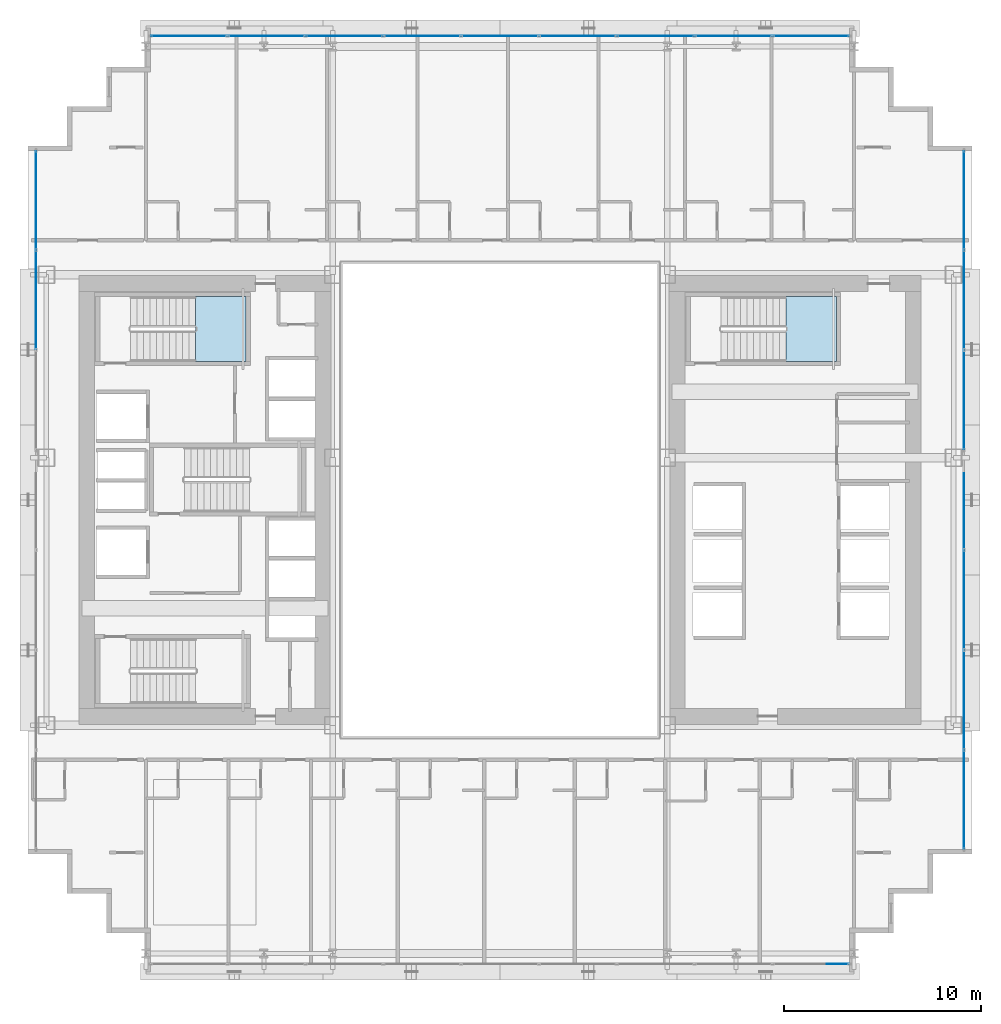
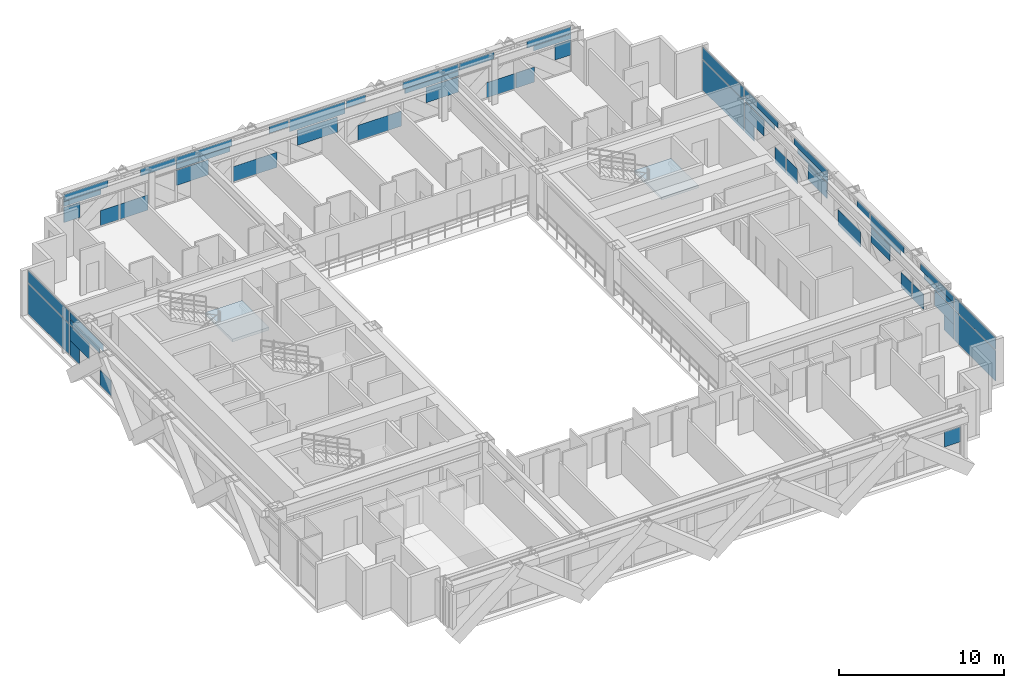
# One storey, part 24 of 36: 56 plates, 2 slabs, 6 elements without a shape of their own.
"""IFC4 building model written with IfcOpenShell, lengths in metres."""

from ifc_helpers import new_model, si_unit, direction, frame, origin, origin_2d, place, context, subcontext, project, spatial, polyline, rectangle, outline, extrude, source, transform, mapped, material, layer, layer_set, type_object, element, aggregate, save


model = new_model("IFC4")

# Units and contexts
model_context = context("Model", 3, precision=1e-05, world=origin(), true_north=direction((0.0, 1.0)))
body_context = subcontext(model_context, "Body", "Model", "MODEL_VIEW")
ifc_project = project(units=[si_unit("LENGTHUNIT", "METRE"), si_unit("AREAUNIT", "SQUARE_METRE"), si_unit("VOLUMEUNIT", "CUBIC_METRE"), si_unit("PLANEANGLEUNIT", "RADIAN"), si_unit("MASSUNIT", "GRAM", prefix="KILO")], contexts=[model_context])

# Site, building, storey
site_placement = place(None, origin())
site = spatial("IfcSite", under=ifc_project, at=site_placement, CompositionType="ELEMENT")
building_placement = place(site_placement, origin())
building = spatial("IfcBuilding", under=site, at=building_placement, Name="Ocotamira Hotel", CompositionType="ELEMENT")
storey_placement = place(building_placement, frame((0.0, 0.0, 42.0)))
storey = spatial("IfcBuildingStorey", under=building, at=storey_placement, Name="L09", CompositionType="ELEMENT", Elevation=42.0)

# Stair, slab
ifc_material_1 = material(Name="Concrete C40/50", Category="concrete")
stair_type = type_object("IfcStairType", Name="ST-CORE-1560", PredefinedType="HALF_TURN_STAIR", material=ifc_material_1)
stair_1_placement = place(storey_placement, origin())
stair_1 = element("IfcStair", 1, at=stair_1_placement, inside=storey, type_object=stair_type, Name="L09 Exit Stair ST-2", PredefinedType="HALF_TURN_STAIR")
ifc_layer_1 = layer(ifc_material_1, 0.199951171875)
ifc_layer_set_1 = layer_set([ifc_layer_1], Name="Concrete C40/50")
slab_type = type_object("IfcSlabType", Name="SLB-LAND-200", PredefinedType="LANDING", material=ifc_layer_set_1)
slab_1_placement = place(storey_placement, frame((0.0, 0.0, 1.60009765625)))
slab_1 = element("IfcSlab", 2, at=slab_1_placement, type_object=slab_type, Name="ST-2 landing 1", PredefinedType="LANDING", context=body_context, shape_type="SweptSolid", body=[
    extrude(outline(polyline([(16.530029296875, 33.050048828125), (19.090087890625, 33.050048828125), (19.090087890625, 36.330078125), (16.530029296875, 36.330078125), (16.530029296875, 33.050048828125)])), origin(), (0.0, 0.0, 1.0), 0.199951171875),
])
aggregate(stair_1, [slab_1])

stair_2_placement = place(storey_placement, origin())
stair_2 = element("IfcStair", 3, at=stair_2_placement, inside=storey, type_object=stair_type, Name="L09 Exit Stair ST-4", PredefinedType="HALF_TURN_STAIR")
slab_2_placement = place(storey_placement, frame((0.0, 0.0, 1.60009765625)))
slab_2 = element("IfcSlab", 4, at=slab_2_placement, type_object=slab_type, Name="ST-4 landing 1", PredefinedType="LANDING", context=body_context, shape_type="SweptSolid", body=[
    extrude(outline(polyline([(46.530029296875, 33.050048828125), (49.090087890625, 33.050048828125), (49.090087890625, 36.330078125), (46.530029296875, 36.330078125), (46.530029296875, 33.050048828125)])), origin(), (0.0, 0.0, 1.0), 0.199951171875),
])
aggregate(stair_2, [slab_2])

# Curtain wall, plate
ifc_material_2 = material(Name="Anodised pale-metal aluminium and solar glass", Category="aluminium")
ifc_layer_2 = layer(ifc_material_2, 0.179931640625)
ifc_layer_set_2 = layer_set([ifc_layer_2], Name="Anodised pale-metal aluminium and solar glass")
curtain_wall_type = type_object("IfcCurtainWallType", Name="CW-SYS2-Z1", PredefinedType="NOTDEFINED", material=ifc_layer_set_2)
curtain_wall_1_placement = place(storey_placement, origin())
curtain_wall_1 = element("IfcCurtainWall", 5, at=curtain_wall_1_placement, inside=storey, type_object=curtain_wall_type, Name="L09 Curtain Wall CW-2 CW-L09-S1", PredefinedType="NOTDEFINED")
ifc_material_3 = material(Name="Double-silver low-E insulated solar glass", Category="glass")
ifc_layer_3 = layer(ifc_material_3, 0.031982421875)
ifc_layer_set_3 = layer_set([ifc_layer_3], Name="Double-silver low-E insulated solar glass")
plate_type = type_object("IfcPlateType", Name="CWP-VISION-32", PredefinedType="CURTAIN_PANEL", material=ifc_layer_set_3)
shared_shape_1 = source(origin(), body_context, "Body", "SweptSolid", [
    extrude(rectangle(XDim=1.11669921875, YDim=0.031982421875, at=origin_2d()), origin(), (0.0, 0.0, 1.0), 1.11865234375),
])
plate_1_placement = place(storey_placement, frame((49.16162109375, 2.419921875, 1.19384765625), z_axis=(0.0, 0.0, 1.0), x_axis=(1.0, 0.0, 0.0)))
plate_1 = element("IfcPlate", 6, at=plate_1_placement, type_object=plate_type, Name="CW-2 panel 9.1.2", PredefinedType="CURTAIN_PANEL", context=body_context, shape_type="MappedRepresentation", body=[
    mapped(shared_shape_1, transform((0.0, 0.0, 0.0), scale=1.0)),
])
aggregate(curtain_wall_1, [plate_1])

# Curtain wall, plates
curtain_wall_2_placement = place(storey_placement, origin())
curtain_wall_2 = element("IfcCurtainWall", 7, at=curtain_wall_2_placement, inside=storey, type_object=curtain_wall_type, Name="L09 Curtain Wall CW-2 CW-L09-N", PredefinedType="NOTDEFINED")
plate_2_placement = place(storey_placement, frame((14.83837890625, 49.580078125, 1.19384765625), z_axis=(0.0, 0.0, 1.0), x_axis=(1.0, 0.0, 0.0)))
plate_2 = element("IfcPlate", 8, at=plate_2_placement, type_object=plate_type, Name="CW-2 panel 1.1.1", PredefinedType="CURTAIN_PANEL", context=body_context, shape_type="MappedRepresentation", body=[
    mapped(shared_shape_1, transform((0.0, 0.0, 0.0), scale=1.0)),
])
plate_3_placement = place(storey_placement, frame((49.16162109375, 49.580078125, 1.19384765625), z_axis=(0.0, 0.0, 1.0), x_axis=(1.0, 0.0, 0.0)))
plate_3 = element("IfcPlate", 9, at=plate_3_placement, type_object=plate_type, Name="CW-2 panel 9.1.2", PredefinedType="CURTAIN_PANEL", context=body_context, shape_type="MappedRepresentation", body=[
    mapped(shared_shape_1, transform((0.0, 0.0, 0.0), scale=1.0)),
])
shared_shape_2 = source(origin(), body_context, "Body", "SweptSolid", [
    extrude(rectangle(XDim=1.278076171875, YDim=0.031982421875, at=origin_2d()), origin(), (0.0, 0.0, 1.0), 1.11865234375),
])
plate_4_placement = place(storey_placement, frame((17.4765625, 49.580078125, 0.0751953125), z_axis=(0.0, 0.0, 1.0), x_axis=(1.0, 0.0, 0.0)))
plate_4 = element("IfcPlate", 10, at=plate_4_placement, type_object=plate_type, Name="CW-2 panel 1.1.2", PredefinedType="CURTAIN_PANEL", context=body_context, shape_type="MappedRepresentation", body=[
    mapped(shared_shape_2, transform((0.0, 0.0, 0.0), scale=1.0)),
])
plate_5_placement = place(storey_placement, frame((46.5234375, 49.580078125, 0.0751953125), z_axis=(0.0, 0.0, 1.0), x_axis=(1.0, 0.0, 0.0)))
plate_5 = element("IfcPlate", 11, at=plate_5_placement, type_object=plate_type, Name="CW-2 panel 9.1.1", PredefinedType="CURTAIN_PANEL", context=body_context, shape_type="MappedRepresentation", body=[
    mapped(shared_shape_2, transform((0.0, 0.0, 0.0), scale=1.0)),
])
shared_shape_3 = source(origin(), body_context, "Body", "SweptSolid", [
    extrude(rectangle(XDim=2.60888671875, YDim=0.031982421875, at=origin_2d()), origin(), (0.0, 0.0, 1.0), 0.345458984375),
])
plate_6_placement = place(storey_placement, frame((15.58447265625, 49.580078125, 2.3876953125), z_axis=(0.0, 0.0, 1.0), x_axis=(1.0, 0.0, 0.0)))
plate_6 = element("IfcPlate", 12, at=plate_6_placement, type_object=plate_type, Name="CW-2 panel 1.2.1", PredefinedType="CURTAIN_PANEL", context=body_context, shape_type="MappedRepresentation", body=[
    mapped(shared_shape_3, transform((0.0, 0.0, 0.0), scale=1.0)),
])
plate_7_placement = place(storey_placement, frame((48.41552734375, 49.580078125, 2.3876953125), z_axis=(0.0, 0.0, 1.0), x_axis=(1.0, 0.0, 0.0)))
plate_7 = element("IfcPlate", 13, at=plate_7_placement, type_object=plate_type, Name="CW-2 panel 9.2.2", PredefinedType="CURTAIN_PANEL", context=body_context, shape_type="MappedRepresentation", body=[
    mapped(shared_shape_3, transform((0.0, 0.0, 0.0), scale=1.0)),
])
shared_shape_4 = source(origin(), body_context, "Body", "SweptSolid", [
    extrude(rectangle(XDim=3.079833984375, YDim=0.031982421875, at=origin_2d()), origin(), (0.0, 0.0, 1.0), 0.5107421875),
])
plate_8_placement = place(storey_placement, frame((15.820068359375, 49.580078125, 2.76416015625), z_axis=(0.0, 0.0, 1.0), x_axis=(1.0, 0.0, 0.0)))
plate_8 = element("IfcPlate", 14, at=plate_8_placement, type_object=plate_type, Name="CW-2 panel 1.2.2", PredefinedType="CURTAIN_PANEL", context=body_context, shape_type="MappedRepresentation", body=[
    mapped(shared_shape_4, transform((0.0, 0.0, 0.0), scale=1.0)),
])
plate_9_placement = place(storey_placement, frame((48.179931640625, 49.580078125, 2.76416015625), z_axis=(0.0, 0.0, 1.0), x_axis=(1.0, 0.0, 0.0)))
plate_9 = element("IfcPlate", 15, at=plate_9_placement, type_object=plate_type, Name="CW-2 panel 9.2.1", PredefinedType="CURTAIN_PANEL", context=body_context, shape_type="MappedRepresentation", body=[
    mapped(shared_shape_4, transform((0.0, 0.0, 0.0), scale=1.0)),
])
shared_shape_5 = source(origin(), body_context, "Body", "SweptSolid", [
    extrude(rectangle(XDim=1.966796875, YDim=0.031982421875, at=origin_2d()), origin(), (0.0, 0.0, 1.0), 1.11865234375),
])
plate_10_placement = place(storey_placement, frame((19.178955078125, 49.580078125, 0.0751953125), z_axis=(0.0, 0.0, 1.0), x_axis=(1.0, 0.0, 0.0)))
plate_10 = element("IfcPlate", 16, at=plate_10_placement, type_object=plate_type, Name="CW-2 panel 2.1.1", PredefinedType="CURTAIN_PANEL", context=body_context, shape_type="MappedRepresentation", body=[
    mapped(shared_shape_5, transform((0.0, 0.0, 0.0), scale=1.0)),
])
plate_11_placement = place(storey_placement, frame((44.821044921875, 49.580078125, 0.0751953125), z_axis=(0.0, 0.0, 1.0), x_axis=(1.0, 0.0, 0.0)))
plate_11 = element("IfcPlate", 17, at=plate_11_placement, type_object=plate_type, Name="CW-2 panel 8.1.1", PredefinedType="CURTAIN_PANEL", context=body_context, shape_type="MappedRepresentation", body=[
    mapped(shared_shape_5, transform((0.0, 0.0, 0.0), scale=1.0)),
])
shared_shape_6 = source(origin(), body_context, "Body", "SweptSolid", [
    extrude(rectangle(XDim=2.430908203125, YDim=0.031982421875, at=origin_2d()), origin(), (0.0, 0.0, 1.0), 0.5107421875),
])
plate_12_placement = place(storey_placement, frame((20.855712890625, 49.580078125, 2.76416015625), z_axis=(0.0, 0.0, 1.0), x_axis=(1.0, 0.0, 0.0)))
plate_12 = element("IfcPlate", 18, at=plate_12_placement, type_object=plate_type, Name="CW-2 panel 2.2.1", PredefinedType="CURTAIN_PANEL", context=body_context, shape_type="MappedRepresentation", body=[
    mapped(shared_shape_6, transform((0.0, 0.0, 0.0), scale=1.0)),
])
plate_13_placement = place(storey_placement, frame((43.144287109375, 49.580078125, 2.76416015625), z_axis=(0.0, 0.0, 1.0), x_axis=(1.0, 0.0, 0.0)))
plate_13 = element("IfcPlate", 19, at=plate_13_placement, type_object=plate_type, Name="CW-2 panel 8.2.1", PredefinedType="CURTAIN_PANEL", context=body_context, shape_type="MappedRepresentation", body=[
    mapped(shared_shape_6, transform((0.0, 0.0, 0.0), scale=1.0)),
])
shared_shape_7 = source(origin(), body_context, "Body", "SweptSolid", [
    extrude(rectangle(XDim=2.24560546875, YDim=0.031982421875, at=origin_2d()), origin(), (0.0, 0.0, 1.0), 1.11865234375),
])
plate_14_placement = place(storey_placement, frame((23.27392578125, 49.580078125, 1.19384765625), z_axis=(0.0, 0.0, 1.0), x_axis=(1.0, 0.0, 0.0)))
plate_14 = element("IfcPlate", 20, at=plate_14_placement, type_object=plate_type, Name="CW-2 panel 3.1.1", PredefinedType="CURTAIN_PANEL", context=body_context, shape_type="MappedRepresentation", body=[
    mapped(shared_shape_7, transform((0.0, 0.0, 0.0), scale=1.0)),
])
plate_15_placement = place(storey_placement, frame((40.72607421875, 49.580078125, 1.19384765625), z_axis=(0.0, 0.0, 1.0), x_axis=(1.0, 0.0, 0.0)))
plate_15 = element("IfcPlate", 21, at=plate_15_placement, type_object=plate_type, Name="CW-2 panel 7.1.1", PredefinedType="CURTAIN_PANEL", context=body_context, shape_type="MappedRepresentation", body=[
    mapped(shared_shape_7, transform((0.0, 0.0, 0.0), scale=1.0)),
])
shared_shape_8 = source(origin(), body_context, "Body", "SweptSolid", [
    extrude(rectangle(XDim=3.73779296875, YDim=0.031982421875, at=origin_2d()), origin(), (0.0, 0.0, 1.0), 0.376708984375),
])
plate_16_placement = place(storey_placement, frame((24.02001953125, 49.580078125, 2.3876953125), z_axis=(0.0, 0.0, 1.0), x_axis=(1.0, 0.0, 0.0)))
plate_16 = element("IfcPlate", 22, at=plate_16_placement, type_object=plate_type, Name="CW-2 panel 3.2.1", PredefinedType="CURTAIN_PANEL", context=body_context, shape_type="MappedRepresentation", body=[
    mapped(shared_shape_8, transform((0.0, 0.0, 0.0), scale=1.0)),
])
plate_17_placement = place(storey_placement, frame((39.97998046875, 49.580078125, 2.3876953125), z_axis=(0.0, 0.0, 1.0), x_axis=(1.0, 0.0, 0.0)))
plate_17 = element("IfcPlate", 23, at=plate_17_placement, type_object=plate_type, Name="CW-2 panel 7.2.2", PredefinedType="CURTAIN_PANEL", context=body_context, shape_type="MappedRepresentation", body=[
    mapped(shared_shape_8, transform((0.0, 0.0, 0.0), scale=1.0)),
])
shared_shape_9 = source(origin(), body_context, "Body", "SweptSolid", [
    extrude(rectangle(XDim=3.87548828125, YDim=0.031982421875, at=origin_2d()), origin(), (0.0, 0.0, 1.0), 0.5107421875),
])
plate_18_placement = place(storey_placement, frame((24.0888671875, 49.580078125, 2.76416015625), z_axis=(0.0, 0.0, 1.0), x_axis=(1.0, 0.0, 0.0)))
plate_18 = element("IfcPlate", 24, at=plate_18_placement, type_object=plate_type, Name="CW-2 panel 3.2.2", PredefinedType="CURTAIN_PANEL", context=body_context, shape_type="MappedRepresentation", body=[
    mapped(shared_shape_9, transform((0.0, 0.0, 0.0), scale=1.0)),
])
plate_19_placement = place(storey_placement, frame((39.9111328125, 49.580078125, 2.76416015625), z_axis=(0.0, 0.0, 1.0), x_axis=(1.0, 0.0, 0.0)))
plate_19 = element("IfcPlate", 25, at=plate_19_placement, type_object=plate_type, Name="CW-2 panel 7.2.1", PredefinedType="CURTAIN_PANEL", context=body_context, shape_type="MappedRepresentation", body=[
    mapped(shared_shape_9, transform((0.0, 0.0, 0.0), scale=1.0)),
])
shared_shape_10 = source(origin(), body_context, "Body", "SweptSolid", [
    extrude(rectangle(XDim=3.055908203125, YDim=0.031982421875, at=origin_2d()), origin(), (0.0, 0.0, 1.0), 1.11865234375),
])
plate_20_placement = place(storey_placement, frame((27.634521484375, 49.580078125, 0.0751953125), z_axis=(0.0, 0.0, 1.0), x_axis=(1.0, 0.0, 0.0)))
plate_20 = element("IfcPlate", 26, at=plate_20_placement, type_object=plate_type, Name="CW-2 panel 4.1.1", PredefinedType="CURTAIN_PANEL", context=body_context, shape_type="MappedRepresentation", body=[
    mapped(shared_shape_10, transform((0.0, 0.0, 0.0), scale=1.0)),
])
plate_21_placement = place(storey_placement, frame((36.365478515625, 49.580078125, 0.0751953125), z_axis=(0.0, 0.0, 1.0), x_axis=(1.0, 0.0, 0.0)))
plate_21 = element("IfcPlate", 27, at=plate_21_placement, type_object=plate_type, Name="CW-2 panel 6.1.1", PredefinedType="CURTAIN_PANEL", context=body_context, shape_type="MappedRepresentation", body=[
    mapped(shared_shape_10, transform((0.0, 0.0, 0.0), scale=1.0)),
])
shared_shape_11 = source(origin(), body_context, "Body", "SweptSolid", [
    extrude(rectangle(XDim=1.34228515625, YDim=0.031982421875, at=origin_2d()), origin(), (0.0, 0.0, 1.0), 0.5107421875),
])
plate_22_placement = place(storey_placement, frame((29.31103515625, 49.580078125, 2.76416015625), z_axis=(0.0, 0.0, 1.0), x_axis=(1.0, 0.0, 0.0)))
plate_22 = element("IfcPlate", 28, at=plate_22_placement, type_object=plate_type, Name="CW-2 panel 4.2.1", PredefinedType="CURTAIN_PANEL", context=body_context, shape_type="MappedRepresentation", body=[
    mapped(shared_shape_11, transform((0.0, 0.0, 0.0), scale=1.0)),
])
plate_23_placement = place(storey_placement, frame((34.68896484375, 49.580078125, 2.76416015625), z_axis=(0.0, 0.0, 1.0), x_axis=(1.0, 0.0, 0.0)))
plate_23 = element("IfcPlate", 29, at=plate_23_placement, type_object=plate_type, Name="CW-2 panel 6.2.1", PredefinedType="CURTAIN_PANEL", context=body_context, shape_type="MappedRepresentation", body=[
    mapped(shared_shape_11, transform((0.0, 0.0, 0.0), scale=1.0)),
])
shared_shape_12 = source(origin(), body_context, "Body", "SweptSolid", [
    extrude(rectangle(XDim=2.793701171875, YDim=0.031982421875, at=origin_2d()), origin(), (0.0, 0.0, 1.0), 1.11865234375),
])
plate_24_placement = place(storey_placement, frame((32.0, 49.580078125, 1.19384765625), z_axis=(0.0, 0.0, 1.0), x_axis=(1.0, 0.0, 0.0)))
plate_24 = element("IfcPlate", 30, at=plate_24_placement, type_object=plate_type, Name="CW-2 panel 5.1.1", PredefinedType="CURTAIN_PANEL", context=body_context, shape_type="MappedRepresentation", body=[
    mapped(shared_shape_12, transform((0.0, 0.0, 0.0), scale=1.0)),
])
shared_shape_13 = source(origin(), body_context, "Body", "SweptSolid", [
    extrude(rectangle(XDim=3.87548828125, YDim=0.031982421875, at=origin_2d()), origin(), (0.0, 0.0, 1.0), 0.887451171875),
])
plate_25_placement = place(storey_placement, frame((32.0, 49.580078125, 2.3876953125), z_axis=(0.0, 0.0, 1.0), x_axis=(1.0, 0.0, 0.0)))
plate_25 = element("IfcPlate", 31, at=plate_25_placement, type_object=plate_type, Name="CW-2 panel 5.2", PredefinedType="CURTAIN_PANEL", context=body_context, shape_type="MappedRepresentation", body=[
    mapped(shared_shape_13, transform((0.0, 0.0, 0.0), scale=1.0)),
])
aggregate(curtain_wall_2, [plate_2, plate_4, plate_6, plate_8, plate_10, plate_12, plate_14, plate_16, plate_18, plate_20, plate_22, plate_24, plate_25, plate_21, plate_23, plate_15, plate_19, plate_17, plate_11, plate_13, plate_5, plate_3, plate_9, plate_7])

# Curtain wall, plate
curtain_wall_3_placement = place(storey_placement, origin())
curtain_wall_3 = element("IfcCurtainWall", 32, at=curtain_wall_3_placement, inside=storey, type_object=curtain_wall_type, Name="L09 Curtain Wall CW-2 CW-L09-W", PredefinedType="NOTDEFINED")
shared_shape_14 = source(origin(), body_context, "Body", "SweptSolid", [
    extrude(rectangle(XDim=4.9658203125, YDim=0.031982421875, at=origin_2d()), origin(), (0.0, 0.0, 1.0), 2.237548828125),
])
plate_26_placement = place(storey_placement, frame((8.419921875, 41.237060546875, 0.0751953125), z_axis=(0.0, 0.0, 1.0), x_axis=(0.0, 1.0, 0.0)))
plate_26 = element("IfcPlate", 33, at=plate_26_placement, type_object=plate_type, Name="CW-2 panel 7.1", PredefinedType="CURTAIN_PANEL", context=body_context, shape_type="MappedRepresentation", body=[
    mapped(shared_shape_14, transform((0.0, 0.0, 0.0), scale=1.0)),
])

# Curtain wall, plates
curtain_wall_4_placement = place(storey_placement, origin())
curtain_wall_4 = element("IfcCurtainWall", 34, at=curtain_wall_4_placement, inside=storey, type_object=curtain_wall_type, Name="L09 Curtain Wall CW-2 CW-L09-E", PredefinedType="NOTDEFINED")
plate_27_placement = place(storey_placement, frame((55.580078125, 10.762939453125, 0.0751953125), z_axis=(0.0, 0.0, 1.0), x_axis=(0.0, 1.0, 0.0)))
plate_27 = element("IfcPlate", 35, at=plate_27_placement, type_object=plate_type, Name="CW-2 panel 1.1", PredefinedType="CURTAIN_PANEL", context=body_context, shape_type="MappedRepresentation", body=[
    mapped(shared_shape_14, transform((0.0, 0.0, 0.0), scale=1.0)),
])
plate_28_placement = place(storey_placement, frame((55.580078125, 41.237060546875, 0.0751953125), z_axis=(0.0, 0.0, 1.0), x_axis=(0.0, 1.0, 0.0)))
plate_28 = element("IfcPlate", 36, at=plate_28_placement, type_object=plate_type, Name="CW-2 panel 7.1", PredefinedType="CURTAIN_PANEL", context=body_context, shape_type="MappedRepresentation", body=[
    mapped(shared_shape_14, transform((0.0, 0.0, 0.0), scale=1.0)),
])

# Plate
shared_shape_15 = source(origin(), body_context, "Body", "SweptSolid", [
    extrude(rectangle(XDim=4.9658203125, YDim=0.031982421875, at=origin_2d()), origin(), (0.0, 0.0, 1.0), 0.887451171875),
])
plate_29_placement = place(storey_placement, frame((8.419921875, 41.237060546875, 2.3876953125), z_axis=(0.0, 0.0, 1.0), x_axis=(0.0, 1.0, 0.0)))
plate_29 = element("IfcPlate", 37, at=plate_29_placement, type_object=plate_type, Name="CW-2 panel 7.2", PredefinedType="CURTAIN_PANEL", context=body_context, shape_type="MappedRepresentation", body=[
    mapped(shared_shape_15, transform((0.0, 0.0, 0.0), scale=1.0)),
])

plate_30_placement = place(storey_placement, frame((55.580078125, 10.762939453125, 2.3876953125), z_axis=(0.0, 0.0, 1.0), x_axis=(0.0, 1.0, 0.0)))
plate_30 = element("IfcPlate", 38, at=plate_30_placement, type_object=plate_type, Name="CW-2 panel 1.2", PredefinedType="CURTAIN_PANEL", context=body_context, shape_type="MappedRepresentation", body=[
    mapped(shared_shape_15, transform((0.0, 0.0, 0.0), scale=1.0)),
])

plate_31_placement = place(storey_placement, frame((55.580078125, 41.237060546875, 2.3876953125), z_axis=(0.0, 0.0, 1.0), x_axis=(0.0, 1.0, 0.0)))
plate_31 = element("IfcPlate", 39, at=plate_31_placement, type_object=plate_type, Name="CW-2 panel 7.2", PredefinedType="CURTAIN_PANEL", context=body_context, shape_type="MappedRepresentation", body=[
    mapped(shared_shape_15, transform((0.0, 0.0, 0.0), scale=1.0)),
])

shared_shape_16 = source(origin(), body_context, "Body", "SweptSolid", [
    extrude(rectangle(XDim=1.177978515625, YDim=0.031982421875, at=origin_2d()), origin(), (0.0, 0.0, 1.0), 1.11865234375),
])
plate_32_placement = place(storey_placement, frame((8.419921875, 38.085205078125, 0.0751953125), z_axis=(0.0, 0.0, 1.0), x_axis=(0.0, 1.0, 0.0)))
plate_32 = element("IfcPlate", 40, at=plate_32_placement, type_object=plate_type, Name="CW-2 panel 6.1.3", PredefinedType="CURTAIN_PANEL", context=body_context, shape_type="MappedRepresentation", body=[
    mapped(shared_shape_16, transform((0.0, 0.0, 0.0), scale=1.0)),
])

plate_33_placement = place(storey_placement, frame((55.580078125, 13.914794921875, 0.0751953125), z_axis=(0.0, 0.0, 1.0), x_axis=(0.0, 1.0, 0.0)))
plate_33 = element("IfcPlate", 41, at=plate_33_placement, type_object=plate_type, Name="CW-2 panel 2.1.1", PredefinedType="CURTAIN_PANEL", context=body_context, shape_type="MappedRepresentation", body=[
    mapped(shared_shape_16, transform((0.0, 0.0, 0.0), scale=1.0)),
])

plate_34_placement = place(storey_placement, frame((55.580078125, 38.085205078125, 0.0751953125), z_axis=(0.0, 0.0, 1.0), x_axis=(0.0, 1.0, 0.0)))
plate_34 = element("IfcPlate", 42, at=plate_34_placement, type_object=plate_type, Name="CW-2 panel 6.1.3", PredefinedType="CURTAIN_PANEL", context=body_context, shape_type="MappedRepresentation", body=[
    mapped(shared_shape_16, transform((0.0, 0.0, 0.0), scale=1.0)),
])

shared_shape_17 = source(origin(), body_context, "Body", "SweptSolid", [
    extrude(rectangle(XDim=2.364013671875, YDim=0.031982421875, at=origin_2d()), origin(), (0.0, 0.0, 1.0), 1.11865234375),
])
plate_35_placement = place(storey_placement, frame((8.419921875, 37.4921875, 1.19384765625), z_axis=(0.0, 0.0, 1.0), x_axis=(0.0, 1.0, 0.0)))
plate_35 = element("IfcPlate", 43, at=plate_35_placement, type_object=plate_type, Name="CW-2 panel 6.1.2", PredefinedType="CURTAIN_PANEL", context=body_context, shape_type="MappedRepresentation", body=[
    mapped(shared_shape_17, transform((0.0, 0.0, 0.0), scale=1.0)),
])

plate_36_placement = place(storey_placement, frame((55.580078125, 14.5078125, 1.19384765625), z_axis=(0.0, 0.0, 1.0), x_axis=(0.0, 1.0, 0.0)))
plate_36 = element("IfcPlate", 44, at=plate_36_placement, type_object=plate_type, Name="CW-2 panel 2.1.2", PredefinedType="CURTAIN_PANEL", context=body_context, shape_type="MappedRepresentation", body=[
    mapped(shared_shape_17, transform((0.0, 0.0, 0.0), scale=1.0)),
])

plate_37_placement = place(storey_placement, frame((55.580078125, 37.4921875, 1.19384765625), z_axis=(0.0, 0.0, 1.0), x_axis=(0.0, 1.0, 0.0)))
plate_37 = element("IfcPlate", 45, at=plate_37_placement, type_object=plate_type, Name="CW-2 panel 6.1.2", PredefinedType="CURTAIN_PANEL", context=body_context, shape_type="MappedRepresentation", body=[
    mapped(shared_shape_17, transform((0.0, 0.0, 0.0), scale=1.0)),
])

shared_shape_18 = source(origin(), body_context, "Body", "SweptSolid", [
    extrude(rectangle(XDim=1.330078125, YDim=0.031982421875, at=origin_2d()), origin(), (0.0, 0.0, 1.0), 1.11865234375),
])
plate_38_placement = place(storey_placement, frame((8.419921875, 34.33349609375, 0.0751953125), z_axis=(0.0, 0.0, 1.0), x_axis=(0.0, 1.0, 0.0)))
plate_38 = element("IfcPlate", 46, at=plate_38_placement, type_object=plate_type, Name="CW-2 panel 6.1.1", PredefinedType="CURTAIN_PANEL", context=body_context, shape_type="MappedRepresentation", body=[
    mapped(shared_shape_18, transform((0.0, 0.0, 0.0), scale=1.0)),
])

plate_39_placement = place(storey_placement, frame((55.580078125, 17.66650390625, 0.0751953125), z_axis=(0.0, 0.0, 1.0), x_axis=(0.0, 1.0, 0.0)))
plate_39 = element("IfcPlate", 47, at=plate_39_placement, type_object=plate_type, Name="CW-2 panel 2.1.3", PredefinedType="CURTAIN_PANEL", context=body_context, shape_type="MappedRepresentation", body=[
    mapped(shared_shape_18, transform((0.0, 0.0, 0.0), scale=1.0)),
])

plate_40_placement = place(storey_placement, frame((55.580078125, 34.33349609375, 0.0751953125), z_axis=(0.0, 0.0, 1.0), x_axis=(0.0, 1.0, 0.0)))
plate_40 = element("IfcPlate", 48, at=plate_40_placement, type_object=plate_type, Name="CW-2 panel 6.1.1", PredefinedType="CURTAIN_PANEL", context=body_context, shape_type="MappedRepresentation", body=[
    mapped(shared_shape_18, transform((0.0, 0.0, 0.0), scale=1.0)),
])

shared_shape_19 = source(origin(), body_context, "Body", "SweptSolid", [
    extrude(rectangle(XDim=3.629638671875, YDim=0.031982421875, at=origin_2d()), origin(), (0.0, 0.0, 1.0), 0.367919921875),
])
plate_41_placement = place(storey_placement, frame((8.419921875, 36.859375, 2.3876953125), z_axis=(0.0, 0.0, 1.0), x_axis=(0.0, 1.0, 0.0)))
plate_41 = element("IfcPlate", 49, at=plate_41_placement, type_object=plate_type, Name="CW-2 panel 6.2.2", PredefinedType="CURTAIN_PANEL", context=body_context, shape_type="MappedRepresentation", body=[
    mapped(shared_shape_19, transform((0.0, 0.0, 0.0), scale=1.0)),
])

plate_42_placement = place(storey_placement, frame((55.580078125, 15.140625, 2.3876953125), z_axis=(0.0, 0.0, 1.0), x_axis=(0.0, 1.0, 0.0)))
plate_42 = element("IfcPlate", 50, at=plate_42_placement, type_object=plate_type, Name="CW-2 panel 2.2.1", PredefinedType="CURTAIN_PANEL", context=body_context, shape_type="MappedRepresentation", body=[
    mapped(shared_shape_19, transform((0.0, 0.0, 0.0), scale=1.0)),
])

plate_43_placement = place(storey_placement, frame((55.580078125, 36.859375, 2.3876953125), z_axis=(0.0, 0.0, 1.0), x_axis=(0.0, 1.0, 0.0)))
plate_43 = element("IfcPlate", 51, at=plate_43_placement, type_object=plate_type, Name="CW-2 panel 6.2.2", PredefinedType="CURTAIN_PANEL", context=body_context, shape_type="MappedRepresentation", body=[
    mapped(shared_shape_19, transform((0.0, 0.0, 0.0), scale=1.0)),
])

shared_shape_20 = source(origin(), body_context, "Body", "SweptSolid", [
    extrude(rectangle(XDim=4.05615234375, YDim=0.031982421875, at=origin_2d()), origin(), (0.0, 0.0, 1.0), 0.485107421875),
])
plate_44_placement = place(storey_placement, frame((8.419921875, 36.646240234375, 2.7900390625), z_axis=(0.0, 0.0, 1.0), x_axis=(0.0, 1.0, 0.0)))
plate_44 = element("IfcPlate", 52, at=plate_44_placement, type_object=plate_type, Name="CW-2 panel 6.2.1", PredefinedType="CURTAIN_PANEL", context=body_context, shape_type="MappedRepresentation", body=[
    mapped(shared_shape_20, transform((0.0, 0.0, 0.0), scale=1.0)),
])

aggregate(curtain_wall_3, [plate_38, plate_35, plate_32, plate_44, plate_41, plate_26, plate_29])

plate_45_placement = place(storey_placement, frame((55.580078125, 15.353759765625, 2.7900390625), z_axis=(0.0, 0.0, 1.0), x_axis=(0.0, 1.0, 0.0)))
plate_45 = element("IfcPlate", 53, at=plate_45_placement, type_object=plate_type, Name="CW-2 panel 2.2.2", PredefinedType="CURTAIN_PANEL", context=body_context, shape_type="MappedRepresentation", body=[
    mapped(shared_shape_20, transform((0.0, 0.0, 0.0), scale=1.0)),
])

plate_46_placement = place(storey_placement, frame((55.580078125, 36.646240234375, 2.7900390625), z_axis=(0.0, 0.0, 1.0), x_axis=(0.0, 1.0, 0.0)))
plate_46 = element("IfcPlate", 54, at=plate_46_placement, type_object=plate_type, Name="CW-2 panel 6.2.1", PredefinedType="CURTAIN_PANEL", context=body_context, shape_type="MappedRepresentation", body=[
    mapped(shared_shape_20, transform((0.0, 0.0, 0.0), scale=1.0)),
])

shared_shape_21 = source(origin(), body_context, "Body", "SweptSolid", [
    extrude(rectangle(XDim=1.3203125, YDim=0.031982421875, at=origin_2d()), origin(), (0.0, 0.0, 1.0), 1.11865234375),
])
plate_47_placement = place(storey_placement, frame((55.580078125, 19.071533203125, 0.0751953125), z_axis=(0.0, 0.0, 1.0), x_axis=(0.0, 1.0, 0.0)))
plate_47 = element("IfcPlate", 55, at=plate_47_placement, type_object=plate_type, Name="CW-2 panel 3.1.1", PredefinedType="CURTAIN_PANEL", context=body_context, shape_type="MappedRepresentation", body=[
    mapped(shared_shape_21, transform((0.0, 0.0, 0.0), scale=1.0)),
])

plate_48_placement = place(storey_placement, frame((55.580078125, 32.928466796875, 0.0751953125), z_axis=(0.0, 0.0, 1.0), x_axis=(0.0, 1.0, 0.0)))
plate_48 = element("IfcPlate", 56, at=plate_48_placement, type_object=plate_type, Name="CW-2 panel 5.1.2", PredefinedType="CURTAIN_PANEL", context=body_context, shape_type="MappedRepresentation", body=[
    mapped(shared_shape_21, transform((0.0, 0.0, 0.0), scale=1.0)),
])

shared_shape_22 = source(origin(), body_context, "Body", "SweptSolid", [
    extrude(rectangle(XDim=2.27978515625, YDim=0.031982421875, at=origin_2d()), origin(), (0.0, 0.0, 1.0), 1.11865234375),
])
plate_49_placement = place(storey_placement, frame((55.580078125, 22.183349609375, 1.19384765625), z_axis=(0.0, 0.0, 1.0), x_axis=(0.0, 1.0, 0.0)))
plate_49 = element("IfcPlate", 57, at=plate_49_placement, type_object=plate_type, Name="CW-2 panel 3.1.2", PredefinedType="CURTAIN_PANEL", context=body_context, shape_type="MappedRepresentation", body=[
    mapped(shared_shape_22, transform((0.0, 0.0, 0.0), scale=1.0)),
])

plate_50_placement = place(storey_placement, frame((55.580078125, 29.816650390625, 1.19384765625), z_axis=(0.0, 0.0, 1.0), x_axis=(0.0, 1.0, 0.0)))
plate_50 = element("IfcPlate", 58, at=plate_50_placement, type_object=plate_type, Name="CW-2 panel 5.1.1", PredefinedType="CURTAIN_PANEL", context=body_context, shape_type="MappedRepresentation", body=[
    mapped(shared_shape_22, transform((0.0, 0.0, 0.0), scale=1.0)),
])

shared_shape_23 = source(origin(), body_context, "Body", "SweptSolid", [
    extrude(rectangle(XDim=4.06591796875, YDim=0.031982421875, at=origin_2d()), origin(), (0.0, 0.0, 1.0), 0.485107421875),
])
plate_51_placement = place(storey_placement, frame((55.580078125, 21.38427734375, 2.7900390625), z_axis=(0.0, 0.0, 1.0), x_axis=(0.0, 1.0, 0.0)))
plate_51 = element("IfcPlate", 59, at=plate_51_placement, type_object=plate_type, Name="CW-2 panel 3.2.1", PredefinedType="CURTAIN_PANEL", context=body_context, shape_type="MappedRepresentation", body=[
    mapped(shared_shape_23, transform((0.0, 0.0, 0.0), scale=1.0)),
])

plate_52_placement = place(storey_placement, frame((55.580078125, 30.61572265625, 2.7900390625), z_axis=(0.0, 0.0, 1.0), x_axis=(0.0, 1.0, 0.0)))
plate_52 = element("IfcPlate", 60, at=plate_52_placement, type_object=plate_type, Name="CW-2 panel 5.2.2", PredefinedType="CURTAIN_PANEL", context=body_context, shape_type="MappedRepresentation", body=[
    mapped(shared_shape_23, transform((0.0, 0.0, 0.0), scale=1.0)),
])

shared_shape_24 = source(origin(), body_context, "Body", "SweptSolid", [
    extrude(rectangle(XDim=3.639404296875, YDim=0.031982421875, at=origin_2d()), origin(), (0.0, 0.0, 1.0), 0.367919921875),
])
plate_53_placement = place(storey_placement, frame((55.580078125, 21.597412109375, 2.3876953125), z_axis=(0.0, 0.0, 1.0), x_axis=(0.0, 1.0, 0.0)))
plate_53 = element("IfcPlate", 61, at=plate_53_placement, type_object=plate_type, Name="CW-2 panel 3.2.2", PredefinedType="CURTAIN_PANEL", context=body_context, shape_type="MappedRepresentation", body=[
    mapped(shared_shape_24, transform((0.0, 0.0, 0.0), scale=1.0)),
])

plate_54_placement = place(storey_placement, frame((55.580078125, 30.402587890625, 2.3876953125), z_axis=(0.0, 0.0, 1.0), x_axis=(0.0, 1.0, 0.0)))
plate_54 = element("IfcPlate", 62, at=plate_54_placement, type_object=plate_type, Name="CW-2 panel 5.2.1", PredefinedType="CURTAIN_PANEL", context=body_context, shape_type="MappedRepresentation", body=[
    mapped(shared_shape_24, transform((0.0, 0.0, 0.0), scale=1.0)),
])

shared_shape_25 = source(origin(), body_context, "Body", "SweptSolid", [
    extrude(rectangle(XDim=2.730224609375, YDim=0.031982421875, at=origin_2d()), origin(), (0.0, 0.0, 1.0), 1.11865234375),
])
plate_55_placement = place(storey_placement, frame((55.580078125, 26.0, 0.0751953125), z_axis=(0.0, 0.0, 1.0), x_axis=(0.0, 1.0, 0.0)))
plate_55 = element("IfcPlate", 63, at=plate_55_placement, type_object=plate_type, Name="CW-2 panel 4.1.1", PredefinedType="CURTAIN_PANEL", context=body_context, shape_type="MappedRepresentation", body=[
    mapped(shared_shape_25, transform((0.0, 0.0, 0.0), scale=1.0)),
])

shared_shape_26 = source(origin(), body_context, "Body", "SweptSolid", [
    extrude(rectangle(XDim=1.518310546875, YDim=0.031982421875, at=origin_2d()), origin(), (0.0, 0.0, 1.0), 0.485107421875),
])
plate_56_placement = place(storey_placement, frame((55.580078125, 24.256103515625, 2.7900390625), z_axis=(0.0, 0.0, 1.0), x_axis=(0.0, 1.0, 0.0)))
plate_56 = element("IfcPlate", 64, at=plate_56_placement, type_object=plate_type, Name="CW-2 panel 4.2.1", PredefinedType="CURTAIN_PANEL", context=body_context, shape_type="MappedRepresentation", body=[
    mapped(shared_shape_26, transform((0.0, 0.0, 0.0), scale=1.0)),
])

aggregate(curtain_wall_4, [plate_27, plate_30, plate_33, plate_36, plate_39, plate_42, plate_45, plate_47, plate_49, plate_51, plate_53, plate_55, plate_56, plate_50, plate_48, plate_54, plate_52, plate_40, plate_37, plate_34, plate_46, plate_43, plate_28, plate_31])

save(model, "model.ifc")
